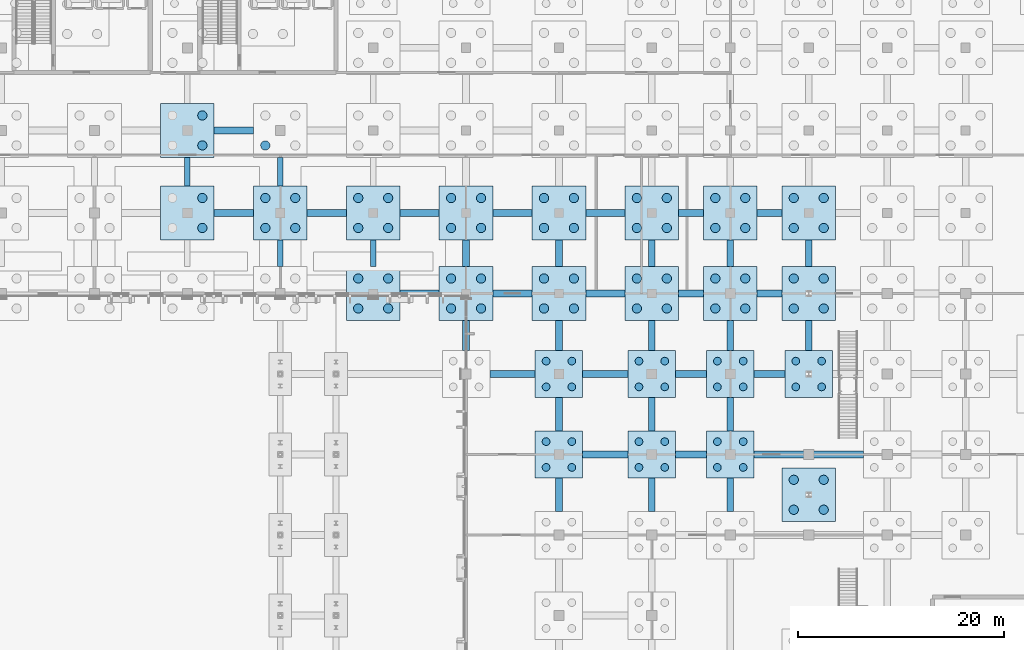
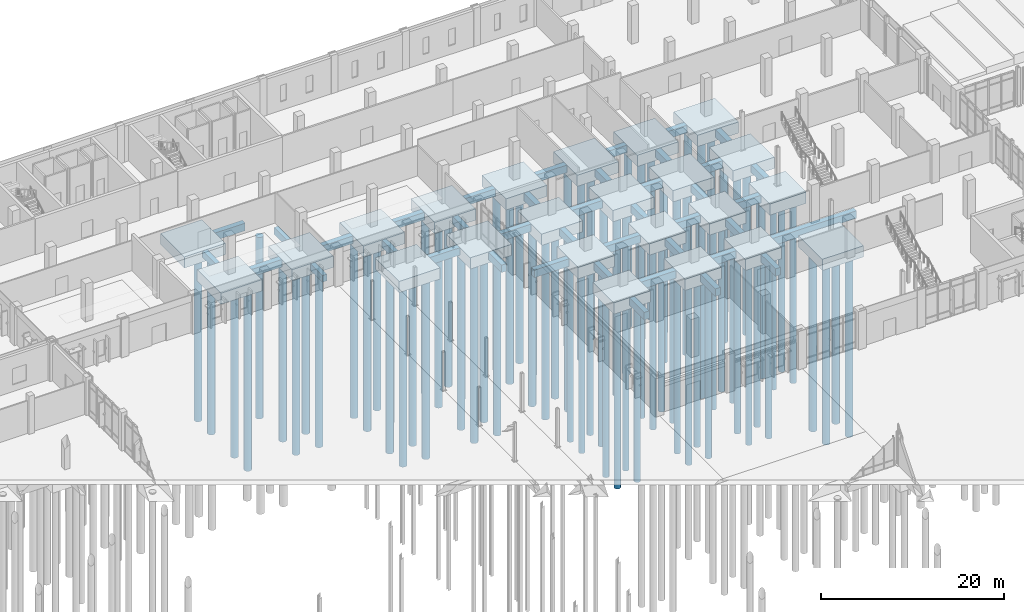
# One storey, part 11 of 94: 89 piles, 63 footings.
"""IFC4 building model written with IfcOpenShell, lengths in metres."""

from ifc_helpers import new_model, si_unit, direction, frame, origin, origin_2d, place, context, subcontext, project, spatial, rectangle, circle, extrude, material, material_profile, profile_set, type_object, element, save


model = new_model("IFC4")

# Units and contexts
model_context = context("Model", 3, precision=1e-05, world=origin(), true_north=direction((0.0, 1.0)))
body_context = subcontext(model_context, "Body", "Model", "MODEL_VIEW")
ifc_project = project(units=[si_unit("LENGTHUNIT", "METRE"), si_unit("AREAUNIT", "SQUARE_METRE"), si_unit("VOLUMEUNIT", "CUBIC_METRE"), si_unit("PLANEANGLEUNIT", "RADIAN"), si_unit("MASSUNIT", "GRAM", prefix="KILO")], contexts=[model_context])

# Site, building, storey
site_placement = place(None, origin())
site = spatial("IfcSite", under=ifc_project, at=site_placement, CompositionType="ELEMENT")
building_placement = place(site_placement, origin())
building = spatial("IfcBuilding", under=site, at=building_placement, Name="Vervanel Yard Central Library", CompositionType="ELEMENT")
storey_placement = place(building_placement, origin())
storey = spatial("IfcBuildingStorey", under=building, at=storey_placement, Name="L00", CompositionType="ELEMENT", Elevation=0.0)

# Piles
ifc_material = material(Name="Concrete C40/50", Category="concrete")
ifc_material_profile_1 = material_profile(ifc_material, circle(Radius=0.375, at=origin_2d()), Name="BP D750", Category="concrete")
ifc_profile_set_1 = profile_set([ifc_material_profile_1], Name="Concrete C40/50")
pile_type_1 = type_object("IfcPileType", Name="Bored Concrete Pile D750", PredefinedType="BORED", material=ifc_profile_set_1)
for number, where, z_axis, x_axis, name in (
    (1, (97.75, 65.35009765625, -1.75), (0.0, 0.0, -1.0), (1.0, 0.0, 0.0), "Bored Concrete Pile 301 under PCAP-074"),
    (2, (100.25, 65.35009765625, -1.75), (0.0, 0.0, -1.0), (1.0, 0.0, 0.0), "Bored Concrete Pile 302 under PCAP-074"),
    (3, (97.75, 67.85009765625, -1.75), (0.0, 0.0, -1.0), (1.0, 0.0, 0.0), "Bored Concrete Pile 303 under PCAP-074"),
    (4, (100.25, 67.85009765625, -1.75), (0.0, 0.0, -1.0), (1.0, 0.0, 0.0), "Bored Concrete Pile 304 under PCAP-074"),
    (5, (97.75, 73.14990234375, -1.75), (0.0, 0.0, -1.0), (1.0, 0.0, 0.0), "Bored Concrete Pile 305 under PCAP-075"),
    (6, (100.25, 73.14990234375, -1.75), (0.0, 0.0, -1.0), (1.0, 0.0, 0.0), "Bored Concrete Pile 306 under PCAP-075"),
    (7, (97.75, 75.64990234375, -1.75), (0.0, 0.0, -1.0), (1.0, 0.0, 0.0), "Bored Concrete Pile 307 under PCAP-075"),
    (8, (100.25, 75.64990234375, -1.75), (0.0, 0.0, -1.0), (1.0, 0.0, 0.0), "Bored Concrete Pile 308 under PCAP-075"),
    (9, (106.75, 65.35009765625, -1.75), (0.0, 0.0, -1.0), (1.0, 0.0, 0.0), "Bored Concrete Pile 325 under PCAP-080"),
    (10, (109.25, 65.35009765625, -1.75), (0.0, 0.0, -1.0), (1.0, 0.0, 0.0), "Bored Concrete Pile 326 under PCAP-080"),
    (11, (106.75, 67.85009765625, -1.75), (0.0, 0.0, -1.0), (1.0, 0.0, 0.0), "Bored Concrete Pile 327 under PCAP-080"),
    (12, (109.25, 67.85009765625, -1.75), (0.0, 0.0, -1.0), (1.0, 0.0, 0.0), "Bored Concrete Pile 328 under PCAP-080"),
    (13, (106.75, 73.14990234375, -1.75), (0.0, 0.0, -1.0), (1.0, 0.0, 0.0), "Bored Concrete Pile 329 under PCAP-081"),
    (14, (109.25, 73.14990234375, -1.75), (0.0, 0.0, -1.0), (1.0, 0.0, 0.0), "Bored Concrete Pile 330 under PCAP-081"),
    (15, (106.75, 75.64990234375, -1.75), (0.0, 0.0, -1.0), (1.0, 0.0, 0.0), "Bored Concrete Pile 331 under PCAP-081"),
    (16, (109.25, 75.64990234375, -1.75), (0.0, 0.0, -1.0), (1.0, 0.0, 0.0), "Bored Concrete Pile 332 under PCAP-081"),
    (17, (114.35009765625, 65.35009765625, -1.75), (0.0, 0.0, -1.0), (1.0, 0.0, 0.0), "Bored Concrete Pile 345 under PCAP-085"),
    (18, (116.85009765625, 65.35009765625, -1.75), (0.0, 0.0, -1.0), (1.0, 0.0, 0.0), "Bored Concrete Pile 346 under PCAP-085"),
    (19, (114.35009765625, 67.85009765625, -1.75), (0.0, 0.0, -1.0), (1.0, 0.0, 0.0), "Bored Concrete Pile 347 under PCAP-085"),
    (20, (116.85009765625, 67.85009765625, -1.75), (0.0, 0.0, -1.0), (1.0, 0.0, 0.0), "Bored Concrete Pile 348 under PCAP-085"),
    (21, (114.35009765625, 73.14990234375, -1.75), (0.0, 0.0, -1.0), (1.0, 0.0, 0.0), "Bored Concrete Pile 349 under PCAP-086"),
    (22, (116.85009765625, 73.14990234375, -1.75), (0.0, 0.0, -1.0), (1.0, 0.0, 0.0), "Bored Concrete Pile 350 under PCAP-086"),
    (23, (114.35009765625, 75.64990234375, -1.75), (0.0, 0.0, -1.0), (1.0, 0.0, 0.0), "Bored Concrete Pile 351 under PCAP-086"),
    (24, (116.85009765625, 75.64990234375, -1.75), (0.0, 0.0, -1.0), (1.0, 0.0, 0.0), "Bored Concrete Pile 352 under PCAP-086"),
    (25, (121.949951171875, 73.14990234375, -1.75), (0.0, 0.0, -1.0), (1.0, 0.0, 0.0), "Bored Concrete Pile 357 under PCAP-088"),
    (26, (124.449951171875, 73.14990234375, -1.75), (0.0, 0.0, -1.0), (1.0, 0.0, 0.0), "Bored Concrete Pile 358 under PCAP-088"),
    (27, (121.949951171875, 75.64990234375, -1.75), (0.0, 0.0, -1.0), (1.0, 0.0, 0.0), "Bored Concrete Pile 359 under PCAP-088"),
    (28, (124.449951171875, 75.64990234375, -1.75), (0.0, 0.0, -1.0), (1.0, 0.0, 0.0), "Bored Concrete Pile 360 under PCAP-088"),
):
    element("IfcPile", number, at=place(storey_placement, frame(where, z_axis=z_axis, x_axis=x_axis)), inside=storey, type_object=pile_type_1, Name=name, PredefinedType="BORED", context=body_context, shape_type="SweptSolid", body=[
        extrude(circle(Radius=0.375, at=origin_2d()), origin(), (0.0, 0.0, 1.0), 24.25),
    ])
ifc_material_profile_2 = material_profile(ifc_material, circle(Radius=0.449951171875, at=origin_2d()), Name="BP D900", Category="concrete")
ifc_profile_set_2 = profile_set([ifc_material_profile_2], Name="Concrete C40/50")
pile_type_2 = type_object("IfcPileType", Name="Bored Concrete Pile D900", PredefinedType="BORED", material=ifc_profile_set_2)
for number, where, z_axis, x_axis, name in (
    (29, (64.449951171875, 88.550048828125, -1.75), (0.0, 0.0, -1.0), (1.0, 0.0, 0.0), "Bored Concrete Pile 86 under PCAP-020"),
    (30, (64.449951171875, 91.449951171875, -1.75), (0.0, 0.0, -1.0), (1.0, 0.0, 0.0), "Bored Concrete Pile 88 under PCAP-020"),
    (31, (64.449951171875, 96.550048828125, -1.75), (0.0, 0.0, -1.0), (1.0, 0.0, 0.0), "Bored Concrete Pile 90 under PCAP-021"),
    (32, (64.449951171875, 99.449951171875, -1.75), (0.0, 0.0, -1.0), (1.0, 0.0, 0.0), "Bored Concrete Pile 92 under PCAP-021"),
    (33, (70.550048828125, 88.550048828125, -1.75), (0.0, 0.0, -1.0), (1.0, 0.0, 0.0), "Bored Concrete Pile 105 under PCAP-025"),
    (34, (73.449951171875, 88.550048828125, -1.75), (0.0, 0.0, -1.0), (1.0, 0.0, 0.0), "Bored Concrete Pile 106 under PCAP-025"),
    (35, (70.550048828125, 91.449951171875, -1.75), (0.0, 0.0, -1.0), (1.0, 0.0, 0.0), "Bored Concrete Pile 107 under PCAP-025"),
    (36, (73.449951171875, 91.449951171875, -1.75), (0.0, 0.0, -1.0), (1.0, 0.0, 0.0), "Bored Concrete Pile 108 under PCAP-025"),
    (37, (70.550048828125, 96.550048828125, -1.75), (0.0, 0.0, -1.0), (1.0, 0.0, 0.0), "Bored Concrete Pile 109 under PCAP-026"),
    (38, (79.550048828125, 80.75, -1.75), (0.0, 0.0, -1.0), (1.0, 0.0, 0.0), "Bored Concrete Pile 113 under PCAP-027"),
    (39, (82.449951171875, 80.75, -1.75), (0.0, 0.0, -1.0), (1.0, 0.0, 0.0), "Bored Concrete Pile 114 under PCAP-027"),
    (40, (79.550048828125, 83.64990234375, -1.75), (0.0, 0.0, -1.0), (1.0, 0.0, 0.0), "Bored Concrete Pile 115 under PCAP-027"),
    (41, (82.449951171875, 83.64990234375, -1.75), (0.0, 0.0, -1.0), (1.0, 0.0, 0.0), "Bored Concrete Pile 116 under PCAP-027"),
    (42, (79.550048828125, 88.550048828125, -1.75), (0.0, 0.0, -1.0), (1.0, 0.0, 0.0), "Bored Concrete Pile 117 under PCAP-028"),
    (43, (82.449951171875, 88.550048828125, -1.75), (0.0, 0.0, -1.0), (1.0, 0.0, 0.0), "Bored Concrete Pile 118 under PCAP-028"),
    (44, (79.550048828125, 91.449951171875, -1.75), (0.0, 0.0, -1.0), (1.0, 0.0, 0.0), "Bored Concrete Pile 119 under PCAP-028"),
    (45, (82.449951171875, 91.449951171875, -1.75), (0.0, 0.0, -1.0), (1.0, 0.0, 0.0), "Bored Concrete Pile 120 under PCAP-028"),
    (46, (88.550048828125, 80.75, -1.75), (0.0, 0.0, -1.0), (1.0, 0.0, 0.0), "Bored Concrete Pile 129 under PCAP-031"),
    (47, (91.449951171875, 80.75, -1.75), (0.0, 0.0, -1.0), (1.0, 0.0, 0.0), "Bored Concrete Pile 130 under PCAP-031"),
    (48, (88.550048828125, 83.64990234375, -1.75), (0.0, 0.0, -1.0), (1.0, 0.0, 0.0), "Bored Concrete Pile 131 under PCAP-031"),
    (49, (91.449951171875, 83.64990234375, -1.75), (0.0, 0.0, -1.0), (1.0, 0.0, 0.0), "Bored Concrete Pile 132 under PCAP-031"),
    (50, (88.550048828125, 88.550048828125, -1.75), (0.0, 0.0, -1.0), (1.0, 0.0, 0.0), "Bored Concrete Pile 133 under PCAP-032"),
    (51, (91.449951171875, 88.550048828125, -1.75), (0.0, 0.0, -1.0), (1.0, 0.0, 0.0), "Bored Concrete Pile 134 under PCAP-032"),
    (52, (88.550048828125, 91.449951171875, -1.75), (0.0, 0.0, -1.0), (1.0, 0.0, 0.0), "Bored Concrete Pile 135 under PCAP-032"),
    (53, (91.449951171875, 91.449951171875, -1.75), (0.0, 0.0, -1.0), (1.0, 0.0, 0.0), "Bored Concrete Pile 136 under PCAP-032"),
    (54, (97.550048828125, 80.75, -1.75), (0.0, 0.0, -1.0), (1.0, 0.0, 0.0), "Bored Concrete Pile 149 under PCAP-036"),
    (55, (100.449951171875, 80.75, -1.75), (0.0, 0.0, -1.0), (1.0, 0.0, 0.0), "Bored Concrete Pile 150 under PCAP-036"),
    (56, (97.550048828125, 83.64990234375, -1.75), (0.0, 0.0, -1.0), (1.0, 0.0, 0.0), "Bored Concrete Pile 151 under PCAP-036"),
    (57, (100.449951171875, 83.64990234375, -1.75), (0.0, 0.0, -1.0), (1.0, 0.0, 0.0), "Bored Concrete Pile 152 under PCAP-036"),
    (58, (97.550048828125, 88.550048828125, -1.75), (0.0, 0.0, -1.0), (1.0, 0.0, 0.0), "Bored Concrete Pile 153 under PCAP-037"),
    (59, (100.449951171875, 88.550048828125, -1.75), (0.0, 0.0, -1.0), (1.0, 0.0, 0.0), "Bored Concrete Pile 154 under PCAP-037"),
    (60, (97.550048828125, 91.449951171875, -1.75), (0.0, 0.0, -1.0), (1.0, 0.0, 0.0), "Bored Concrete Pile 155 under PCAP-037"),
    (61, (100.449951171875, 91.449951171875, -1.75), (0.0, 0.0, -1.0), (1.0, 0.0, 0.0), "Bored Concrete Pile 156 under PCAP-037"),
    (62, (106.550048828125, 80.75, -1.75), (0.0, 0.0, -1.0), (1.0, 0.0, 0.0), "Bored Concrete Pile 165 under PCAP-040"),
    (63, (109.449951171875, 80.75, -1.75), (0.0, 0.0, -1.0), (1.0, 0.0, 0.0), "Bored Concrete Pile 166 under PCAP-040"),
    (64, (106.550048828125, 83.64990234375, -1.75), (0.0, 0.0, -1.0), (1.0, 0.0, 0.0), "Bored Concrete Pile 167 under PCAP-040"),
    (65, (109.449951171875, 83.64990234375, -1.75), (0.0, 0.0, -1.0), (1.0, 0.0, 0.0), "Bored Concrete Pile 168 under PCAP-040"),
    (66, (106.550048828125, 88.550048828125, -1.75), (0.0, 0.0, -1.0), (1.0, 0.0, 0.0), "Bored Concrete Pile 169 under PCAP-041"),
    (67, (109.449951171875, 88.550048828125, -1.75), (0.0, 0.0, -1.0), (1.0, 0.0, 0.0), "Bored Concrete Pile 170 under PCAP-041"),
    (68, (106.550048828125, 91.449951171875, -1.75), (0.0, 0.0, -1.0), (1.0, 0.0, 0.0), "Bored Concrete Pile 171 under PCAP-041"),
    (69, (109.449951171875, 91.449951171875, -1.75), (0.0, 0.0, -1.0), (1.0, 0.0, 0.0), "Bored Concrete Pile 172 under PCAP-041"),
    (70, (114.14990234375, 80.75, -1.75), (0.0, 0.0, -1.0), (1.0, 0.0, 0.0), "Bored Concrete Pile 181 under PCAP-044"),
    (71, (117.050048828125, 80.75, -1.75), (0.0, 0.0, -1.0), (1.0, 0.0, 0.0), "Bored Concrete Pile 182 under PCAP-044"),
    (72, (114.14990234375, 83.64990234375, -1.75), (0.0, 0.0, -1.0), (1.0, 0.0, 0.0), "Bored Concrete Pile 183 under PCAP-044"),
    (73, (117.050048828125, 83.64990234375, -1.75), (0.0, 0.0, -1.0), (1.0, 0.0, 0.0), "Bored Concrete Pile 184 under PCAP-044"),
    (74, (114.14990234375, 88.550048828125, -1.75), (0.0, 0.0, -1.0), (1.0, 0.0, 0.0), "Bored Concrete Pile 185 under PCAP-045"),
    (75, (117.050048828125, 88.550048828125, -1.75), (0.0, 0.0, -1.0), (1.0, 0.0, 0.0), "Bored Concrete Pile 186 under PCAP-045"),
    (76, (114.14990234375, 91.449951171875, -1.75), (0.0, 0.0, -1.0), (1.0, 0.0, 0.0), "Bored Concrete Pile 187 under PCAP-045"),
    (77, (117.050048828125, 91.449951171875, -1.75), (0.0, 0.0, -1.0), (1.0, 0.0, 0.0), "Bored Concrete Pile 188 under PCAP-045"),
    (78, (121.75, 61.25, -1.75), (0.0, 0.0, -1.0), (1.0, 0.0, 0.0), "Bored Concrete Pile 201 under PCAP-049"),
    (79, (124.64990234375, 61.25, -1.75), (0.0, 0.0, -1.0), (1.0, 0.0, 0.0), "Bored Concrete Pile 202 under PCAP-049"),
    (80, (121.75, 64.14990234375, -1.75), (0.0, 0.0, -1.0), (1.0, 0.0, 0.0), "Bored Concrete Pile 203 under PCAP-049"),
    (81, (124.64990234375, 64.14990234375, -1.75), (0.0, 0.0, -1.0), (1.0, 0.0, 0.0), "Bored Concrete Pile 204 under PCAP-049"),
    (82, (121.75, 80.75, -1.75), (0.0, 0.0, -1.0), (1.0, 0.0, 0.0), "Bored Concrete Pile 205 under PCAP-050"),
    (83, (124.64990234375, 80.75, -1.75), (0.0, 0.0, -1.0), (1.0, 0.0, 0.0), "Bored Concrete Pile 206 under PCAP-050"),
    (84, (121.75, 83.64990234375, -1.75), (0.0, 0.0, -1.0), (1.0, 0.0, 0.0), "Bored Concrete Pile 207 under PCAP-050"),
    (85, (124.64990234375, 83.64990234375, -1.75), (0.0, 0.0, -1.0), (1.0, 0.0, 0.0), "Bored Concrete Pile 208 under PCAP-050"),
    (86, (121.75, 88.550048828125, -1.75), (0.0, 0.0, -1.0), (1.0, 0.0, 0.0), "Bored Concrete Pile 209 under PCAP-051"),
    (87, (124.64990234375, 88.550048828125, -1.75), (0.0, 0.0, -1.0), (1.0, 0.0, 0.0), "Bored Concrete Pile 210 under PCAP-051"),
    (88, (121.75, 91.449951171875, -1.75), (0.0, 0.0, -1.0), (1.0, 0.0, 0.0), "Bored Concrete Pile 211 under PCAP-051"),
    (89, (124.64990234375, 91.449951171875, -1.75), (0.0, 0.0, -1.0), (1.0, 0.0, 0.0), "Bored Concrete Pile 212 under PCAP-051"),
):
    element("IfcPile", number, at=place(storey_placement, frame(where, z_axis=z_axis, x_axis=x_axis)), inside=storey, type_object=pile_type_2, Name=name, PredefinedType="BORED", context=body_context, shape_type="SweptSolid", body=[
        extrude(circle(Radius=0.449951171875, at=origin_2d()), origin(), (0.0, 0.0, 1.0), 24.25),
    ])

# Footings
footing_type_1 = type_object("IfcFootingType", Name="Combined 4-Pile Cap 4600x4600x1500", PredefinedType="PILE_CAP", material=ifc_material)
for number, where, z_axis, x_axis, name in (
    (90, (99.0, 66.60009765625, -1.89990234375), (0.0, 0.0, 1.0), (1.0, 0.0, 0.0), "Combined Pile Cap PCAP-074 (PC-03)"),
    (91, (99.0, 74.39990234375, -1.89990234375), (0.0, 0.0, 1.0), (1.0, 0.0, 0.0), "Combined Pile Cap PCAP-075 (PC-03)"),
    (92, (108.0, 66.60009765625, -1.89990234375), (0.0, 0.0, 1.0), (1.0, 0.0, 0.0), "Combined Pile Cap PCAP-080 (PC-03)"),
    (93, (108.0, 74.39990234375, -1.89990234375), (0.0, 0.0, 1.0), (1.0, 0.0, 0.0), "Combined Pile Cap PCAP-081 (PC-03)"),
    (94, (115.60009765625, 66.60009765625, -1.89990234375), (0.0, 0.0, 1.0), (1.0, 0.0, 0.0), "Combined Pile Cap PCAP-085 (PC-03)"),
    (95, (115.60009765625, 74.39990234375, -1.89990234375), (0.0, 0.0, 1.0), (1.0, 0.0, 0.0), "Combined Pile Cap PCAP-086 (PC-03)"),
    (96, (123.199951171875, 74.39990234375, -1.89990234375), (0.0, 0.0, 1.0), (1.0, 0.0, 0.0), "Combined Pile Cap PCAP-088 (PC-03)"),
):
    element("IfcFooting", number, at=place(storey_placement, frame(where, z_axis=z_axis, x_axis=x_axis)), inside=storey, type_object=footing_type_1, Name=name, PredefinedType="PILE_CAP", context=body_context, shape_type="SweptSolid", body=[
        extrude(rectangle(XDim=4.60009765625, YDim=4.60009765625, at=origin_2d()), origin(), (0.0, 0.0, 1.0), 1.5),
    ])
footing_type_2 = type_object("IfcFootingType", Name="Combined 4-Pile Heavy Cap 5200x5200x1500", PredefinedType="PILE_CAP", material=ifc_material)
for number, where, z_axis, x_axis, name in (
    (97, (63.0, 90.0, -1.89990234375), (0.0, 0.0, 1.0), (1.0, 0.0, 0.0), "Combined Pile Cap PCAP-020 (PC-04)"),
    (98, (63.0, 98.0, -1.89990234375), (0.0, 0.0, 1.0), (1.0, 0.0, 0.0), "Combined Pile Cap PCAP-021 (PC-04)"),
    (99, (72.0, 90.0, -1.89990234375), (0.0, 0.0, 1.0), (1.0, 0.0, 0.0), "Combined Pile Cap PCAP-025 (PC-04)"),
    (100, (81.0, 82.199951171875, -1.89990234375), (0.0, 0.0, 1.0), (1.0, 0.0, 0.0), "Combined Pile Cap PCAP-027 (PC-04)"),
    (101, (81.0, 90.0, -1.89990234375), (0.0, 0.0, 1.0), (1.0, 0.0, 0.0), "Combined Pile Cap PCAP-028 (PC-04)"),
    (102, (90.0, 82.199951171875, -1.89990234375), (0.0, 0.0, 1.0), (1.0, 0.0, 0.0), "Combined Pile Cap PCAP-031 (PC-04)"),
    (103, (90.0, 90.0, -1.89990234375), (0.0, 0.0, 1.0), (1.0, 0.0, 0.0), "Combined Pile Cap PCAP-032 (PC-04)"),
    (104, (99.0, 82.199951171875, -1.89990234375), (0.0, 0.0, 1.0), (1.0, 0.0, 0.0), "Combined Pile Cap PCAP-036 (PC-04)"),
    (105, (99.0, 90.0, -1.89990234375), (0.0, 0.0, 1.0), (1.0, 0.0, 0.0), "Combined Pile Cap PCAP-037 (PC-04)"),
    (106, (108.0, 82.199951171875, -1.89990234375), (0.0, 0.0, 1.0), (1.0, 0.0, 0.0), "Combined Pile Cap PCAP-040 (PC-04)"),
    (107, (108.0, 90.0, -1.89990234375), (0.0, 0.0, 1.0), (1.0, 0.0, 0.0), "Combined Pile Cap PCAP-041 (PC-04)"),
    (108, (115.60009765625, 82.199951171875, -1.89990234375), (0.0, 0.0, 1.0), (1.0, 0.0, 0.0), "Combined Pile Cap PCAP-044 (PC-04)"),
    (109, (115.60009765625, 90.0, -1.89990234375), (0.0, 0.0, 1.0), (1.0, 0.0, 0.0), "Combined Pile Cap PCAP-045 (PC-04)"),
    (110, (123.199951171875, 62.699951171875, -1.89990234375), (0.0, 0.0, 1.0), (1.0, 0.0, 0.0), "Combined Pile Cap PCAP-049 (PC-04)"),
    (111, (123.199951171875, 82.199951171875, -1.89990234375), (0.0, 0.0, 1.0), (1.0, 0.0, 0.0), "Combined Pile Cap PCAP-050 (PC-04)"),
    (112, (123.199951171875, 90.0, -1.89990234375), (0.0, 0.0, 1.0), (1.0, 0.0, 0.0), "Combined Pile Cap PCAP-051 (PC-04)"),
):
    element("IfcFooting", number, at=place(storey_placement, frame(where, z_axis=z_axis, x_axis=x_axis)), inside=storey, type_object=footing_type_2, Name=name, PredefinedType="PILE_CAP", context=body_context, shape_type="SweptSolid", body=[
        extrude(rectangle(XDim=5.199951171875, YDim=5.199951171875, at=origin_2d()), origin(), (0.0, 0.0, 1.0), 1.5),
    ])
ifc_material_profile_3 = material_profile(ifc_material, rectangle(XDim=0.550048828125, YDim=0.89990234375, at=origin_2d()), Name="RC 550x900", Category="concrete")
ifc_profile_set_3 = profile_set([ifc_material_profile_3], Name="Concrete C40/50")
footing_type_3 = type_object("IfcFootingType", Name="Concrete Footing Beam 550x900", PredefinedType="FOOTING_BEAM", material=ifc_profile_set_3)
footing_1_placement = place(storey_placement, frame((63.0, 92.60009765625, -0.8701171875), z_axis=(0.0, 1.0, 0.0), x_axis=(-1.0, 0.0, 0.0)))
element("IfcFooting", 113, at=footing_1_placement, inside=storey, type_object=footing_type_3, Name="Concrete Footing Beam FB-Y-211", PredefinedType="FOOTING_BEAM", context=body_context, shape_type="SweptSolid", body=[
    extrude(rectangle(XDim=0.550048828125, YDim=0.89990234375, at=origin_2d()), origin(), (0.0, 0.0, 1.0), 2.7998046875),
])
footing_2_placement = place(storey_placement, frame((72.0, 84.800048828125, -0.8701171875), z_axis=(0.0, 1.0, 0.0), x_axis=(-1.0, 0.0, 0.0)))
element("IfcFooting", 114, at=footing_2_placement, inside=storey, type_object=footing_type_3, Name="Concrete Footing Beam FB-Y-223", PredefinedType="FOOTING_BEAM", context=body_context, shape_type="SweptSolid", body=[
    extrude(rectangle(XDim=0.550048828125, YDim=0.89990234375, at=origin_2d()), origin(), (0.0, 0.0, 1.0), 2.599853515625),
])
footing_3_placement = place(storey_placement, frame((72.0, 92.60009765625, -0.8701171875), z_axis=(0.0, 1.0, 0.0), x_axis=(-1.0, 0.0, 0.0)))
element("IfcFooting", 115, at=footing_3_placement, inside=storey, type_object=footing_type_3, Name="Concrete Footing Beam FB-Y-224", PredefinedType="FOOTING_BEAM", context=body_context, shape_type="SweptSolid", body=[
    extrude(rectangle(XDim=0.550048828125, YDim=0.89990234375, at=origin_2d()), origin(), (0.0, 0.0, 1.0), 2.7998046875),
])
footing_4_placement = place(storey_placement, frame((81.0, 84.800048828125, -0.8701171875), z_axis=(0.0, 1.0, 0.0), x_axis=(-1.0, 0.0, 0.0)))
element("IfcFooting", 116, at=footing_4_placement, inside=storey, type_object=footing_type_3, Name="Concrete Footing Beam FB-Y-231", PredefinedType="FOOTING_BEAM", context=body_context, shape_type="SweptSolid", body=[
    extrude(rectangle(XDim=0.550048828125, YDim=0.89990234375, at=origin_2d()), origin(), (0.0, 0.0, 1.0), 2.599853515625),
])
ifc_material_profile_4 = material_profile(ifc_material, rectangle(XDim=0.64990234375, YDim=1.0, at=origin_2d()), Name="RC 650x1000", Category="concrete")
ifc_profile_set_4 = profile_set([ifc_material_profile_4], Name="Concrete C40/50")
footing_type_4 = type_object("IfcFootingType", Name="Concrete Footing Beam 650x1000", PredefinedType="FOOTING_BEAM", material=ifc_profile_set_4)
footing_5_placement = place(storey_placement, frame((101.300048828125, 66.60009765625, -0.919921875), z_axis=(1.0, 0.0, 0.0), x_axis=(0.0, 1.0, 0.0)))
element("IfcFooting", 117, at=footing_5_placement, inside=storey, type_object=footing_type_4, Name="Concrete Footing Beam FB-X-071", PredefinedType="FOOTING_BEAM", context=body_context, shape_type="SweptSolid", body=[
    extrude(rectangle(XDim=0.64990234375, YDim=1.0, at=origin_2d()), origin(), (0.0, 0.0, 1.0), 4.39990234375),
])
footing_6_placement = place(storey_placement, frame((110.300048828125, 66.60009765625, -0.919921875), z_axis=(1.0, 0.0, 0.0), x_axis=(0.0, 1.0, 0.0)))
element("IfcFooting", 118, at=footing_6_placement, inside=storey, type_object=footing_type_4, Name="Concrete Footing Beam FB-X-072", PredefinedType="FOOTING_BEAM", context=body_context, shape_type="SweptSolid", body=[
    extrude(rectangle(XDim=0.64990234375, YDim=1.0, at=origin_2d()), origin(), (0.0, 0.0, 1.0), 3.0),
])
footing_7_placement = place(storey_placement, frame((117.89990234375, 66.60009765625, -0.919921875), z_axis=(1.0, 0.0, 0.0), x_axis=(0.0, 1.0, 0.0)))
element("IfcFooting", 119, at=footing_7_placement, inside=storey, type_object=footing_type_4, Name="Concrete Footing Beam FB-X-073", PredefinedType="FOOTING_BEAM", context=body_context, shape_type="SweptSolid", body=[
    extrude(rectangle(XDim=0.64990234375, YDim=1.0, at=origin_2d()), origin(), (0.0, 0.0, 1.0), 10.60009765625),
])
for number, where, z_axis, x_axis, name in (
    (120, (92.300048828125, 74.39990234375, -0.919921875), (1.0, 0.0, 0.0), (0.0, 1.0, 0.0), "Concrete Footing Beam FB-X-082"),
    (121, (101.300048828125, 74.39990234375, -0.919921875), (1.0, 0.0, 0.0), (0.0, 1.0, 0.0), "Concrete Footing Beam FB-X-083"),
):
    element("IfcFooting", number, at=place(storey_placement, frame(where, z_axis=z_axis, x_axis=x_axis)), inside=storey, type_object=footing_type_4, Name=name, PredefinedType="FOOTING_BEAM", context=body_context, shape_type="SweptSolid", body=[
        extrude(rectangle(XDim=0.64990234375, YDim=1.0, at=origin_2d()), origin(), (0.0, 0.0, 1.0), 4.39990234375),
    ])
for number, where, z_axis, x_axis, name in (
    (122, (110.300048828125, 74.39990234375, -0.919921875), (1.0, 0.0, 0.0), (0.0, 1.0, 0.0), "Concrete Footing Beam FB-X-084"),
    (123, (117.89990234375, 74.39990234375, -0.919921875), (1.0, 0.0, 0.0), (0.0, 1.0, 0.0), "Concrete Footing Beam FB-X-085"),
):
    element("IfcFooting", number, at=place(storey_placement, frame(where, z_axis=z_axis, x_axis=x_axis)), inside=storey, type_object=footing_type_4, Name=name, PredefinedType="FOOTING_BEAM", context=body_context, shape_type="SweptSolid", body=[
        extrude(rectangle(XDim=0.64990234375, YDim=1.0, at=origin_2d()), origin(), (0.0, 0.0, 1.0), 3.0),
    ])
for number, where, z_axis, x_axis, name in (
    (124, (83.60009765625, 82.199951171875, -0.919921875), (1.0, 0.0, 0.0), (0.0, 1.0, 0.0), "Concrete Footing Beam FB-X-102"),
    (125, (92.60009765625, 82.199951171875, -0.919921875), (1.0, 0.0, 0.0), (0.0, 1.0, 0.0), "Concrete Footing Beam FB-X-103"),
    (126, (101.60009765625, 82.199951171875, -0.919921875), (1.0, 0.0, 0.0), (0.0, 1.0, 0.0), "Concrete Footing Beam FB-X-104"),
):
    element("IfcFooting", number, at=place(storey_placement, frame(where, z_axis=z_axis, x_axis=x_axis)), inside=storey, type_object=footing_type_4, Name=name, PredefinedType="FOOTING_BEAM", context=body_context, shape_type="SweptSolid", body=[
        extrude(rectangle(XDim=0.64990234375, YDim=1.0, at=origin_2d()), origin(), (0.0, 0.0, 1.0), 3.7998046875),
    ])
footing_8_placement = place(storey_placement, frame((110.60009765625, 82.199951171875, -0.919921875), z_axis=(1.0, 0.0, 0.0), x_axis=(0.0, 1.0, 0.0)))
element("IfcFooting", 127, at=footing_8_placement, inside=storey, type_object=footing_type_4, Name="Concrete Footing Beam FB-X-105", PredefinedType="FOOTING_BEAM", context=body_context, shape_type="SweptSolid", body=[
    extrude(rectangle(XDim=0.64990234375, YDim=1.0, at=origin_2d()), origin(), (0.0, 0.0, 1.0), 2.39990234375),
])
footing_9_placement = place(storey_placement, frame((118.199951171875, 82.199951171875, -0.919921875), z_axis=(1.0, 0.0, 0.0), x_axis=(0.0, 1.0, 0.0)))
element("IfcFooting", 128, at=footing_9_placement, inside=storey, type_object=footing_type_4, Name="Concrete Footing Beam FB-X-106", PredefinedType="FOOTING_BEAM", context=body_context, shape_type="SweptSolid", body=[
    extrude(rectangle(XDim=0.64990234375, YDim=1.0, at=origin_2d()), origin(), (0.0, 0.0, 1.0), 2.400146484375),
])
for number, where, z_axis, x_axis, name in (
    (129, (65.60009765625, 90.0, -0.919921875), (1.0, 0.0, 0.0), (0.0, 1.0, 0.0), "Concrete Footing Beam FB-X-112"),
    (130, (74.60009765625, 90.0, -0.919921875), (1.0, 0.0, 0.0), (0.0, 1.0, 0.0), "Concrete Footing Beam FB-X-113"),
    (131, (83.60009765625, 90.0, -0.919921875), (1.0, 0.0, 0.0), (0.0, 1.0, 0.0), "Concrete Footing Beam FB-X-114"),
    (132, (92.60009765625, 90.0, -0.919921875), (1.0, 0.0, 0.0), (0.0, 1.0, 0.0), "Concrete Footing Beam FB-X-115"),
    (133, (101.60009765625, 90.0, -0.919921875), (1.0, 0.0, 0.0), (0.0, 1.0, 0.0), "Concrete Footing Beam FB-X-116"),
):
    element("IfcFooting", number, at=place(storey_placement, frame(where, z_axis=z_axis, x_axis=x_axis)), inside=storey, type_object=footing_type_4, Name=name, PredefinedType="FOOTING_BEAM", context=body_context, shape_type="SweptSolid", body=[
        extrude(rectangle(XDim=0.64990234375, YDim=1.0, at=origin_2d()), origin(), (0.0, 0.0, 1.0), 3.7998046875),
    ])
footing_10_placement = place(storey_placement, frame((110.60009765625, 90.0, -0.919921875), z_axis=(1.0, 0.0, 0.0), x_axis=(0.0, 1.0, 0.0)))
element("IfcFooting", 134, at=footing_10_placement, inside=storey, type_object=footing_type_4, Name="Concrete Footing Beam FB-X-117", PredefinedType="FOOTING_BEAM", context=body_context, shape_type="SweptSolid", body=[
    extrude(rectangle(XDim=0.64990234375, YDim=1.0, at=origin_2d()), origin(), (0.0, 0.0, 1.0), 2.39990234375),
])
footing_11_placement = place(storey_placement, frame((118.199951171875, 90.0, -0.919921875), z_axis=(1.0, 0.0, 0.0), x_axis=(0.0, 1.0, 0.0)))
element("IfcFooting", 135, at=footing_11_placement, inside=storey, type_object=footing_type_4, Name="Concrete Footing Beam FB-X-118", PredefinedType="FOOTING_BEAM", context=body_context, shape_type="SweptSolid", body=[
    extrude(rectangle(XDim=0.64990234375, YDim=1.0, at=origin_2d()), origin(), (0.0, 0.0, 1.0), 2.400146484375),
])
footing_12_placement = place(storey_placement, frame((65.60009765625, 98.0, -0.919921875), z_axis=(1.0, 0.0, 0.0), x_axis=(0.0, 1.0, 0.0)))
element("IfcFooting", 136, at=footing_12_placement, inside=storey, type_object=footing_type_4, Name="Concrete Footing Beam FB-X-124", PredefinedType="FOOTING_BEAM", context=body_context, shape_type="SweptSolid", body=[
    extrude(rectangle(XDim=0.64990234375, YDim=1.0, at=origin_2d()), origin(), (0.0, 0.0, 1.0), 3.7998046875),
])
footing_13_placement = place(storey_placement, frame((90.0, 76.699951171875, -0.919921875), z_axis=(0.0, 1.0, 0.0), x_axis=(-1.0, 0.0, 0.0)))
element("IfcFooting", 137, at=footing_13_placement, inside=storey, type_object=footing_type_4, Name="Concrete Footing Beam FB-Y-236", PredefinedType="FOOTING_BEAM", context=body_context, shape_type="SweptSolid", body=[
    extrude(rectangle(XDim=0.64990234375, YDim=1.0, at=origin_2d()), origin(), (0.0, 0.0, 1.0), 2.900146484375),
])
footing_14_placement = place(storey_placement, frame((90.0, 84.800048828125, -0.919921875), z_axis=(0.0, 1.0, 0.0), x_axis=(-1.0, 0.0, 0.0)))
element("IfcFooting", 138, at=footing_14_placement, inside=storey, type_object=footing_type_4, Name="Concrete Footing Beam FB-Y-237", PredefinedType="FOOTING_BEAM", context=body_context, shape_type="SweptSolid", body=[
    extrude(rectangle(XDim=0.64990234375, YDim=1.0, at=origin_2d()), origin(), (0.0, 0.0, 1.0), 2.599853515625),
])
footing_15_placement = place(storey_placement, frame((99.0, 61.10009765625, -0.919921875), z_axis=(0.0, 1.0, 0.0), x_axis=(-1.0, 0.0, 0.0)))
element("IfcFooting", 139, at=footing_15_placement, inside=storey, type_object=footing_type_4, Name="Concrete Footing Beam FB-Y-243", PredefinedType="FOOTING_BEAM", context=body_context, shape_type="SweptSolid", body=[
    extrude(rectangle(XDim=0.64990234375, YDim=1.0, at=origin_2d()), origin(), (0.0, 0.0, 1.0), 3.199951171875),
])
footing_16_placement = place(storey_placement, frame((99.0, 68.89990234375, -0.919921875), z_axis=(0.0, 1.0, 0.0), x_axis=(-1.0, 0.0, 0.0)))
element("IfcFooting", 140, at=footing_16_placement, inside=storey, type_object=footing_type_4, Name="Concrete Footing Beam FB-Y-244", PredefinedType="FOOTING_BEAM", context=body_context, shape_type="SweptSolid", body=[
    extrude(rectangle(XDim=0.64990234375, YDim=1.0, at=origin_2d()), origin(), (0.0, 0.0, 1.0), 3.2001953125),
])
footing_17_placement = place(storey_placement, frame((99.0, 76.699951171875, -0.919921875), z_axis=(0.0, 1.0, 0.0), x_axis=(-1.0, 0.0, 0.0)))
element("IfcFooting", 141, at=footing_17_placement, inside=storey, type_object=footing_type_4, Name="Concrete Footing Beam FB-Y-245", PredefinedType="FOOTING_BEAM", context=body_context, shape_type="SweptSolid", body=[
    extrude(rectangle(XDim=0.64990234375, YDim=1.0, at=origin_2d()), origin(), (0.0, 0.0, 1.0), 2.900146484375),
])
footing_18_placement = place(storey_placement, frame((99.0, 84.800048828125, -0.919921875), z_axis=(0.0, 1.0, 0.0), x_axis=(-1.0, 0.0, 0.0)))
element("IfcFooting", 142, at=footing_18_placement, inside=storey, type_object=footing_type_4, Name="Concrete Footing Beam FB-Y-246", PredefinedType="FOOTING_BEAM", context=body_context, shape_type="SweptSolid", body=[
    extrude(rectangle(XDim=0.64990234375, YDim=1.0, at=origin_2d()), origin(), (0.0, 0.0, 1.0), 2.599853515625),
])
footing_19_placement = place(storey_placement, frame((108.0, 61.10009765625, -0.919921875), z_axis=(0.0, 1.0, 0.0), x_axis=(-1.0, 0.0, 0.0)))
element("IfcFooting", 143, at=footing_19_placement, inside=storey, type_object=footing_type_4, Name="Concrete Footing Beam FB-Y-253", PredefinedType="FOOTING_BEAM", context=body_context, shape_type="SweptSolid", body=[
    extrude(rectangle(XDim=0.64990234375, YDim=1.0, at=origin_2d()), origin(), (0.0, 0.0, 1.0), 3.199951171875),
])
footing_20_placement = place(storey_placement, frame((108.0, 68.89990234375, -0.919921875), z_axis=(0.0, 1.0, 0.0), x_axis=(-1.0, 0.0, 0.0)))
element("IfcFooting", 144, at=footing_20_placement, inside=storey, type_object=footing_type_4, Name="Concrete Footing Beam FB-Y-254", PredefinedType="FOOTING_BEAM", context=body_context, shape_type="SweptSolid", body=[
    extrude(rectangle(XDim=0.64990234375, YDim=1.0, at=origin_2d()), origin(), (0.0, 0.0, 1.0), 3.2001953125),
])
footing_21_placement = place(storey_placement, frame((108.0, 76.699951171875, -0.919921875), z_axis=(0.0, 1.0, 0.0), x_axis=(-1.0, 0.0, 0.0)))
element("IfcFooting", 145, at=footing_21_placement, inside=storey, type_object=footing_type_4, Name="Concrete Footing Beam FB-Y-255", PredefinedType="FOOTING_BEAM", context=body_context, shape_type="SweptSolid", body=[
    extrude(rectangle(XDim=0.64990234375, YDim=1.0, at=origin_2d()), origin(), (0.0, 0.0, 1.0), 2.900146484375),
])
footing_22_placement = place(storey_placement, frame((108.0, 84.800048828125, -0.919921875), z_axis=(0.0, 1.0, 0.0), x_axis=(-1.0, 0.0, 0.0)))
element("IfcFooting", 146, at=footing_22_placement, inside=storey, type_object=footing_type_4, Name="Concrete Footing Beam FB-Y-256", PredefinedType="FOOTING_BEAM", context=body_context, shape_type="SweptSolid", body=[
    extrude(rectangle(XDim=0.64990234375, YDim=1.0, at=origin_2d()), origin(), (0.0, 0.0, 1.0), 2.599853515625),
])
footing_23_placement = place(storey_placement, frame((115.60009765625, 61.10009765625, -0.919921875), z_axis=(0.0, 1.0, 0.0), x_axis=(-1.0, 0.0, 0.0)))
element("IfcFooting", 147, at=footing_23_placement, inside=storey, type_object=footing_type_4, Name="Concrete Footing Beam FB-Y-260", PredefinedType="FOOTING_BEAM", context=body_context, shape_type="SweptSolid", body=[
    extrude(rectangle(XDim=0.64990234375, YDim=1.0, at=origin_2d()), origin(), (0.0, 0.0, 1.0), 3.199951171875),
])
footing_24_placement = place(storey_placement, frame((115.60009765625, 68.89990234375, -0.919921875), z_axis=(0.0, 1.0, 0.0), x_axis=(-1.0, 0.0, 0.0)))
element("IfcFooting", 148, at=footing_24_placement, inside=storey, type_object=footing_type_4, Name="Concrete Footing Beam FB-Y-261", PredefinedType="FOOTING_BEAM", context=body_context, shape_type="SweptSolid", body=[
    extrude(rectangle(XDim=0.64990234375, YDim=1.0, at=origin_2d()), origin(), (0.0, 0.0, 1.0), 3.2001953125),
])
footing_25_placement = place(storey_placement, frame((115.60009765625, 76.699951171875, -0.919921875), z_axis=(0.0, 1.0, 0.0), x_axis=(-1.0, 0.0, 0.0)))
element("IfcFooting", 149, at=footing_25_placement, inside=storey, type_object=footing_type_4, Name="Concrete Footing Beam FB-Y-262", PredefinedType="FOOTING_BEAM", context=body_context, shape_type="SweptSolid", body=[
    extrude(rectangle(XDim=0.64990234375, YDim=1.0, at=origin_2d()), origin(), (0.0, 0.0, 1.0), 2.900146484375),
])
footing_26_placement = place(storey_placement, frame((115.60009765625, 84.800048828125, -0.919921875), z_axis=(0.0, 1.0, 0.0), x_axis=(-1.0, 0.0, 0.0)))
element("IfcFooting", 150, at=footing_26_placement, inside=storey, type_object=footing_type_4, Name="Concrete Footing Beam FB-Y-263", PredefinedType="FOOTING_BEAM", context=body_context, shape_type="SweptSolid", body=[
    extrude(rectangle(XDim=0.64990234375, YDim=1.0, at=origin_2d()), origin(), (0.0, 0.0, 1.0), 2.599853515625),
])
footing_27_placement = place(storey_placement, frame((123.199951171875, 76.699951171875, -0.919921875), z_axis=(0.0, 1.0, 0.0), x_axis=(-1.0, 0.0, 0.0)))
element("IfcFooting", 151, at=footing_27_placement, inside=storey, type_object=footing_type_4, Name="Concrete Footing Beam FB-Y-266", PredefinedType="FOOTING_BEAM", context=body_context, shape_type="SweptSolid", body=[
    extrude(rectangle(XDim=0.64990234375, YDim=1.0, at=origin_2d()), origin(), (0.0, 0.0, 1.0), 2.900146484375),
])
footing_28_placement = place(storey_placement, frame((123.199951171875, 84.800048828125, -0.919921875), z_axis=(0.0, 1.0, 0.0), x_axis=(-1.0, 0.0, 0.0)))
element("IfcFooting", 152, at=footing_28_placement, inside=storey, type_object=footing_type_4, Name="Concrete Footing Beam FB-Y-267", PredefinedType="FOOTING_BEAM", context=body_context, shape_type="SweptSolid", body=[
    extrude(rectangle(XDim=0.64990234375, YDim=1.0, at=origin_2d()), origin(), (0.0, 0.0, 1.0), 2.599853515625),
])

save(model, "model.ifc")
